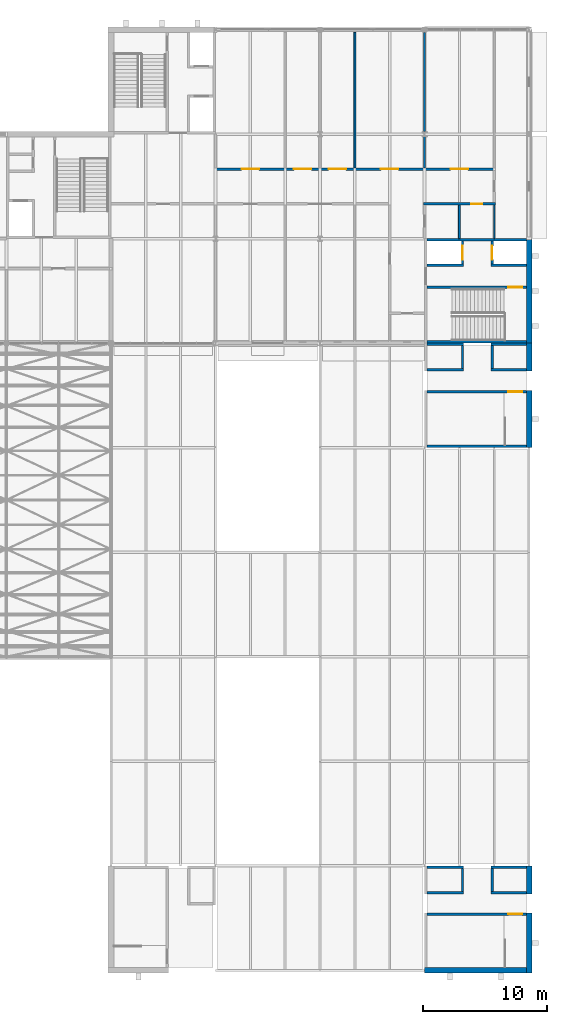
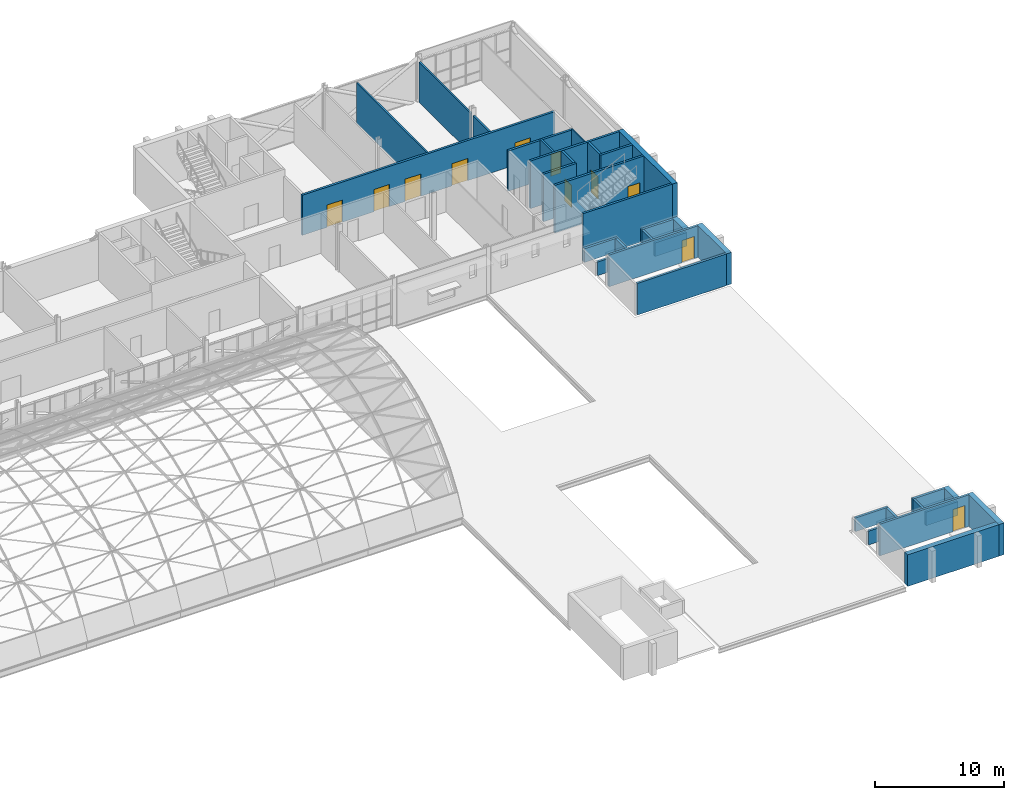
# One storey, part 90 of 121: 35 walls, 11 doors, 11 openings.
"""IFC4 building model written with IfcOpenShell, lengths in metres."""

from ifc_helpers import new_model, si_unit, direction, frame, frame_2d, origin, place, context, subcontext, project, spatial, rectangle, extrude, material, layer, layer_set, type_object, element, fill, save


model = new_model("IFC4")

# Units and contexts
model_context = context("Model", 3, precision=1e-05, world=origin(), true_north=direction((0.0, 1.0)))
body_context = subcontext(model_context, "Body", "Model", "MODEL_VIEW")
ifc_project = project(units=[si_unit("LENGTHUNIT", "METRE"), si_unit("AREAUNIT", "SQUARE_METRE"), si_unit("VOLUMEUNIT", "CUBIC_METRE"), si_unit("PLANEANGLEUNIT", "RADIAN"), si_unit("MASSUNIT", "GRAM", prefix="KILO")], contexts=[model_context])

# Site, building, storey
site_placement = place(None, origin())
site = spatial("IfcSite", under=ifc_project, at=site_placement, CompositionType="ELEMENT")
building_placement = place(site_placement, origin())
building = spatial("IfcBuilding", under=site, at=building_placement, Name="Ardhachandra Cancer Care Centre", CompositionType="ELEMENT")
storey_placement = place(building_placement, frame((0.0, 0.0, 9.0)))
storey = spatial("IfcBuildingStorey", under=building, at=storey_placement, Name="L02", CompositionType="ELEMENT", Elevation=9.0)

# Wall, opening, door
ifc_material_1 = material(Name="Gypsum board corridor partition on steel studs", Category="steel")
ifc_layer_1 = layer(ifc_material_1, 0.199951171875)
ifc_layer_set_1 = layer_set([ifc_layer_1], Name="Gypsum board corridor partition on steel studs")
wall_type_1 = type_object("IfcWallType", Name="CORRIDOR WALL 200", PredefinedType="PARTITIONING", material=ifc_layer_set_1)
wall_1_placement = place(storey_placement, frame((136.699951171875, 91.0, 0.0), z_axis=(0.0, 0.0, 1.0), x_axis=(1.0, 0.0, 0.0)))
wall_1 = element("IfcWall", 1, at=wall_1_placement, inside=storey, type_object=wall_type_1, Name="R/wall/L02/h0091000_0136700", PredefinedType="PARTITIONING", context=body_context, shape_type="SweptSolid", body=[
    extrude(rectangle(XDim=5.800048828125, YDim=0.199951171875, at=frame_2d((2.89990234375, 0.0))), origin(), (0.0, 0.0, 1.0), 3.800048828125),
])
opening_1_placement = place(wall_1_placement, frame((3.85009765625, 0.0, 0.0)))
opening_1 = element("IfcOpeningElement", 2, at=opening_1_placement, cuts=wall_1, Name="Opening L02-0028", PredefinedType="OPENING", context=body_context, shape_type="SweptSolid", body=[
    extrude(rectangle(XDim=0.89990234375, YDim=2.10009765625, at=frame_2d((0.449951171875, 1.050048828125))), frame((0.0, 0.10986328125, 0.0), z_axis=(0.0, -1.0, 0.0), x_axis=(1.0, 0.0, 0.0)), (0.0, 0.0, 1.0), 0.219970703125),
])
ifc_material_2 = material(Name="Timber fire door with smoke seals", Category="wood")
door_type_1 = type_object("IfcDoorType", Name="FIRE DOOR WC 900x2100 FD30S", OperationType="NOTDEFINED", PredefinedType="DOOR", material=ifc_material_2)
door_1_placement = place(opening_1_placement, origin())
door_1 = element("IfcDoor", 3, at=door_1_placement, inside=storey, type_object=door_type_1, Name="Door L02-0028", OperationType="SINGLE_SWING_RIGHT", OverallHeight=2.10009765625, OverallWidth=0.89990234375, PredefinedType="DOOR", context=body_context, shape_type="SweptSolid", body=[
    extrude(rectangle(XDim=0.89990234375, YDim=2.10009765625, at=frame_2d((0.449951171875, 1.050048828125))), frame((0.0, 0.02490234375, 0.0), z_axis=(0.0, -1.0, 0.0), x_axis=(1.0, 0.0, 0.0)), (0.0, 0.0, 1.0), 0.050048828125),
])
fill(opening_1, door_1)

# Wall, openings, doors
wall_2_placement = place(storey_placement, frame((119.89990234375, 93.800048828125, 0.0), z_axis=(0.0, 0.0, 1.0), x_axis=(1.0, 0.0, 0.0)))
wall_2 = element("IfcWall", 4, at=wall_2_placement, inside=storey, type_object=wall_type_1, Name="R/wall/L02/h0093800_0119900", PredefinedType="PARTITIONING", context=body_context, shape_type="SweptSolid", body=[
    extrude(rectangle(XDim=22.60009765625, YDim=0.199951171875, at=frame_2d((11.300048828125, 0.0))), origin(), (0.0, 0.0, 1.0), 3.800048828125),
])
opening_2_placement = place(wall_2_placement, frame((2.199951171875, 0.0, 0.0)))
opening_2 = element("IfcOpeningElement", 5, at=opening_2_placement, cuts=wall_2, Name="Opening L02-0029", PredefinedType="OPENING", context=body_context, shape_type="SweptSolid", body=[
    extrude(rectangle(XDim=1.39990234375, YDim=2.10009765625, at=frame_2d((0.699951171875, 1.050048828125))), frame((0.0, 0.10986328125, 0.0), z_axis=(0.0, -1.0, 0.0), x_axis=(1.0, 0.0, 0.0)), (0.0, 0.0, 1.0), 0.219970703125),
])
opening_3_placement = place(wall_2_placement, frame((6.39990234375, 0.0, 0.0)))
opening_3 = element("IfcOpeningElement", 6, at=opening_3_placement, cuts=wall_2, Name="Opening L02-0030", PredefinedType="OPENING", context=body_context, shape_type="SweptSolid", body=[
    extrude(rectangle(XDim=1.39990234375, YDim=2.10009765625, at=frame_2d((0.699951171875, 1.050048828125))), frame((0.0, 0.10986328125, 0.0), z_axis=(0.0, -1.0, 0.0), x_axis=(1.0, 0.0, 0.0)), (0.0, 0.0, 1.0), 0.219970703125),
])
opening_4_placement = place(wall_2_placement, frame((9.199951171875, 0.0, 0.0)))
opening_4 = element("IfcOpeningElement", 7, at=opening_4_placement, cuts=wall_2, Name="Opening L02-0031", PredefinedType="OPENING", context=body_context, shape_type="SweptSolid", body=[
    extrude(rectangle(XDim=1.39990234375, YDim=2.10009765625, at=frame_2d((0.699951171875, 1.050048828125))), frame((0.0, 0.10986328125, 0.0), z_axis=(0.0, -1.0, 0.0), x_axis=(1.0, 0.0, 0.0)), (0.0, 0.0, 1.0), 0.219970703125),
])
opening_5_placement = place(wall_2_placement, frame((13.39990234375, 0.0, 0.0)))
opening_5 = element("IfcOpeningElement", 8, at=opening_5_placement, cuts=wall_2, Name="Opening L02-0032", PredefinedType="OPENING", context=body_context, shape_type="SweptSolid", body=[
    extrude(rectangle(XDim=1.39990234375, YDim=2.10009765625, at=frame_2d((0.699951171875, 1.050048828125))), frame((0.0, 0.10986328125, 0.0), z_axis=(0.0, -1.0, 0.0), x_axis=(1.0, 0.0, 0.0)), (0.0, 0.0, 1.0), 0.219970703125),
])
opening_6_placement = place(wall_2_placement, frame((19.0, 0.0, 0.0)))
opening_6 = element("IfcOpeningElement", 9, at=opening_6_placement, cuts=wall_2, Name="Opening L02-0033", PredefinedType="OPENING", context=body_context, shape_type="SweptSolid", body=[
    extrude(rectangle(XDim=1.39990234375, YDim=2.10009765625, at=frame_2d((0.699951171875, 1.050048828125))), frame((0.0, 0.10986328125, 0.0), z_axis=(0.0, -1.0, 0.0), x_axis=(1.0, 0.0, 0.0)), (0.0, 0.0, 1.0), 0.219970703125),
])
ifc_material_3 = material(Name="Timber fire door with smoke seals", Category="wood")
door_type_2 = type_object("IfcDoorType", Name="BED ACCESS DOOR 1400x2100 FD30S", OperationType="NOTDEFINED", PredefinedType="DOOR", material=ifc_material_3)
door_2_placement = place(opening_2_placement, origin())
door_2 = element("IfcDoor", 10, at=door_2_placement, inside=storey, type_object=door_type_2, Name="Door L02-0029", OperationType="DOUBLE_DOOR_SINGLE_SWING", OverallHeight=2.10009765625, OverallWidth=1.39990234375, PredefinedType="DOOR", context=body_context, shape_type="SweptSolid", body=[
    extrude(rectangle(XDim=1.39990234375, YDim=2.10009765625, at=frame_2d((0.699951171875, 1.050048828125))), frame((0.0, 0.02490234375, 0.0), z_axis=(0.0, -1.0, 0.0), x_axis=(1.0, 0.0, 0.0)), (0.0, 0.0, 1.0), 0.050048828125),
])
fill(opening_2, door_2)
door_3_placement = place(opening_3_placement, origin())
door_3 = element("IfcDoor", 11, at=door_3_placement, inside=storey, type_object=door_type_2, Name="Door L02-0030", OperationType="DOUBLE_DOOR_SINGLE_SWING", OverallHeight=2.10009765625, OverallWidth=1.39990234375, PredefinedType="DOOR", context=body_context, shape_type="SweptSolid", body=[
    extrude(rectangle(XDim=1.39990234375, YDim=2.10009765625, at=frame_2d((0.699951171875, 1.050048828125))), frame((0.0, 0.02490234375, 0.0), z_axis=(0.0, -1.0, 0.0), x_axis=(1.0, 0.0, 0.0)), (0.0, 0.0, 1.0), 0.050048828125),
])
fill(opening_3, door_3)
door_4_placement = place(opening_4_placement, origin())
door_4 = element("IfcDoor", 12, at=door_4_placement, inside=storey, type_object=door_type_2, Name="Door L02-0031", OperationType="DOUBLE_DOOR_SINGLE_SWING", OverallHeight=2.10009765625, OverallWidth=1.39990234375, PredefinedType="DOOR", context=body_context, shape_type="SweptSolid", body=[
    extrude(rectangle(XDim=1.39990234375, YDim=2.10009765625, at=frame_2d((0.699951171875, 1.050048828125))), frame((0.0, 0.02490234375, 0.0), z_axis=(0.0, -1.0, 0.0), x_axis=(1.0, 0.0, 0.0)), (0.0, 0.0, 1.0), 0.050048828125),
])
fill(opening_4, door_4)
door_5_placement = place(opening_5_placement, origin())
door_5 = element("IfcDoor", 13, at=door_5_placement, inside=storey, type_object=door_type_2, Name="Door L02-0032", OperationType="DOUBLE_DOOR_SINGLE_SWING", OverallHeight=2.10009765625, OverallWidth=1.39990234375, PredefinedType="DOOR", context=body_context, shape_type="SweptSolid", body=[
    extrude(rectangle(XDim=1.39990234375, YDim=2.10009765625, at=frame_2d((0.699951171875, 1.050048828125))), frame((0.0, 0.02490234375, 0.0), z_axis=(0.0, -1.0, 0.0), x_axis=(1.0, 0.0, 0.0)), (0.0, 0.0, 1.0), 0.050048828125),
])
fill(opening_5, door_5)
door_6_placement = place(opening_6_placement, origin())
door_6 = element("IfcDoor", 14, at=door_6_placement, inside=storey, type_object=door_type_2, Name="Door L02-0033", OperationType="DOUBLE_DOOR_SINGLE_SWING", OverallHeight=2.10009765625, OverallWidth=1.39990234375, PredefinedType="DOOR", context=body_context, shape_type="SweptSolid", body=[
    extrude(rectangle(XDim=1.39990234375, YDim=2.10009765625, at=frame_2d((0.699951171875, 1.050048828125))), frame((0.0, 0.02490234375, 0.0), z_axis=(0.0, -1.0, 0.0), x_axis=(1.0, 0.0, 0.0)), (0.0, 0.0, 1.0), 0.050048828125),
])
fill(opening_6, door_6)

# Walls
ifc_material_4 = material(Name="Concrete M40", Category="concrete")
ifc_layer_2 = layer(ifc_material_4, 0.449951171875)
ifc_layer_set_2 = layer_set([ifc_layer_2], Name="Concrete M40")
wall_type_2 = type_object("IfcWallType", Name="Core exterior wall RC 450", PredefinedType="SOLIDWALL", material=ifc_layer_set_2)
wall_3_placement = place(storey_placement, frame((145.199951171875, 29.175048828125, 0.0), z_axis=(0.0, 0.0, 1.0), x_axis=(0.0, 1.0, 0.0)))
element("IfcWall", 15, at=wall_3_placement, inside=storey, type_object=wall_type_2, Name="Stair head-house wall K9 FAR", PredefinedType="SOLIDWALL", context=body_context, shape_type="SweptSolid", body=[
    extrude(rectangle(XDim=4.849853515625, YDim=0.449951171875, at=frame_2d((2.4248046875, 0.0))), origin(), (0.0, 0.0, 1.0), 3.0),
])
wall_4_placement = place(storey_placement, frame((136.800048828125, 29.39990234375, 0.0), z_axis=(0.0, 0.0, 1.0), x_axis=(1.0, 0.0, 0.0)))
element("IfcWall", 16, at=wall_4_placement, inside=storey, type_object=wall_type_2, Name="Stair head-house wall K9 UW", PredefinedType="SOLIDWALL", context=body_context, shape_type="SweptSolid", body=[
    extrude(rectangle(XDim=8.175048828125, YDim=0.449951171875, at=frame_2d((4.08740234375, 0.0))), origin(), (0.0, 0.0, 1.0), 3.0),
])
wall_5_placement = place(storey_placement, frame((145.199951171875, 35.550048828125, 0.0), z_axis=(0.0, 0.0, 1.0), x_axis=(0.0, 1.0, 0.0)))
element("IfcWall", 17, at=wall_5_placement, inside=storey, type_object=wall_type_2, Name="Lift overrun wall K9B FAR", PredefinedType="SOLIDWALL", context=body_context, shape_type="SweptSolid", body=[
    extrude(rectangle(XDim=2.25, YDim=0.449951171875, at=frame_2d((1.125, 0.0))), origin(), (0.0, 0.0, 1.0), 1.300048828125),
])
wall_6_placement = place(storey_placement, frame((145.199951171875, 71.39990234375, 0.0), z_axis=(0.0, 0.0, 1.0), x_axis=(0.0, 1.0, 0.0)))
element("IfcWall", 18, at=wall_6_placement, inside=storey, type_object=wall_type_2, Name="Stair head-house wall K10 FAR", PredefinedType="SOLIDWALL", context=body_context, shape_type="SweptSolid", body=[
    extrude(rectangle(XDim=4.60009765625, YDim=0.449951171875, at=frame_2d((2.300048828125, 0.0))), origin(), (0.0, 0.0, 1.0), 3.0),
])
wall_7_placement = place(storey_placement, frame((145.199951171875, 77.550048828125, 0.0), z_axis=(0.0, 0.0, 1.0), x_axis=(0.0, 1.0, 0.0)))
element("IfcWall", 19, at=wall_7_placement, inside=storey, type_object=wall_type_2, Name="Lift overrun wall K10B FAR", PredefinedType="SOLIDWALL", context=body_context, shape_type="SweptSolid", body=[
    extrude(rectangle(XDim=2.25, YDim=0.449951171875, at=frame_2d((1.125, 0.0))), origin(), (0.0, 0.0, 1.0), 1.300048828125),
])
wall_8_placement = place(storey_placement, frame((145.199951171875, 79.800048828125, 0.0), z_axis=(0.0, 0.0, 1.0), x_axis=(0.0, 1.0, 0.0)))
element("IfcWall", 20, at=wall_8_placement, inside=storey, type_object=wall_type_2, Name="Core wall K13 FAR", PredefinedType="SOLIDWALL", context=body_context, shape_type="SweptSolid", body=[
    extrude(rectangle(XDim=8.39990234375, YDim=0.449951171875, at=frame_2d((4.199951171875, 0.0))), origin(), (0.0, 0.0, 1.0), 4.5),
])

# Wall, opening, door
ifc_material_5 = material(Name="Concrete M40", Category="concrete")
ifc_layer_3 = layer(ifc_material_5, 0.199951171875)
ifc_layer_set_3 = layer_set([ifc_layer_3], Name="Concrete M40")
wall_type_3 = type_object("IfcWallType", Name="Core wall RC 200", PredefinedType="SOLIDWALL", material=ifc_layer_set_3)
wall_9_placement = place(storey_placement, frame((137.0, 33.925048828125, 0.0), z_axis=(0.0, 0.0, 1.0), x_axis=(1.0, 0.0, 0.0)))
wall_9 = element("IfcWall", 21, at=wall_9_placement, inside=storey, type_object=wall_type_3, Name="Stair head-house wall K9 P1", PredefinedType="SOLIDWALL", context=body_context, shape_type="SweptSolid", body=[
    extrude(rectangle(XDim=7.97509765625, YDim=0.199951171875, at=frame_2d((3.987548828125, 0.0))), origin(), (0.0, 0.0, 1.0), 3.0),
])
opening_7_placement = place(wall_9_placement, frame((6.53759765625, 0.0, 0.0)))
opening_7 = element("IfcOpeningElement", 22, at=opening_7_placement, cuts=wall_9, Name="Opening L02-K09-1", PredefinedType="OPENING", context=body_context, shape_type="SweptSolid", body=[
    extrude(rectangle(XDim=1.10009765625, YDim=2.10009765625, at=frame_2d((0.550048828125, 1.050048828125))), frame((0.0, 0.10986328125, 0.0), z_axis=(0.0, -1.0, 0.0), x_axis=(1.0, 0.0, 0.0)), (0.0, 0.0, 1.0), 0.219970703125),
])
ifc_material_6 = material(Name="Steel door set", Category="steel")
door_type_3 = type_object("IfcDoorType", Name="Stair door 1100x2100 FD60S", OperationType="NOTDEFINED", PredefinedType="DOOR", material=ifc_material_6)
door_7_placement = place(opening_7_placement, origin())
door_7 = element("IfcDoor", 23, at=door_7_placement, inside=storey, type_object=door_type_3, Name="Head-house door", OperationType="SINGLE_SWING_RIGHT", OverallHeight=2.10009765625, OverallWidth=1.10009765625, PredefinedType="DOOR", context=body_context, shape_type="SweptSolid", body=[
    extrude(rectangle(XDim=1.10009765625, YDim=2.10009765625, at=frame_2d((0.550048828125, 1.050048828125))), frame((0.0, 0.02490234375, 0.0), z_axis=(0.0, -1.0, 0.0), x_axis=(1.0, 0.0, 0.0)), (0.0, 0.0, 1.0), 0.050048828125),
])
fill(opening_7, door_7)

# Walls
wall_10_placement = place(storey_placement, frame((137.0, 35.64990234375, 0.0), z_axis=(0.0, 0.0, 1.0), x_axis=(1.0, 0.0, 0.0)))
element("IfcWall", 24, at=wall_10_placement, inside=storey, type_object=wall_type_3, Name="Lift overrun wall K9A P2A", PredefinedType="SOLIDWALL", context=body_context, shape_type="SweptSolid", body=[
    extrude(rectangle(XDim=2.949951171875, YDim=0.199951171875, at=frame_2d((1.47509765625, 0.0))), origin(), (0.0, 0.0, 1.0), 1.300048828125),
])
wall_11_placement = place(storey_placement, frame((139.85009765625, 35.75, 0.0), z_axis=(0.0, 0.0, 1.0), x_axis=(0.0, 1.0, 0.0)))
element("IfcWall", 25, at=wall_11_placement, inside=storey, type_object=wall_type_3, Name="Lift overrun wall K9A W1", PredefinedType="SOLIDWALL", context=body_context, shape_type="SweptSolid", body=[
    extrude(rectangle(XDim=1.85009765625, YDim=0.199951171875, at=frame_2d((0.925048828125, 0.0))), origin(), (0.0, 0.0, 1.0), 1.300048828125),
])
wall_12_placement = place(storey_placement, frame((137.0, 37.699951171875, 0.0), z_axis=(0.0, 0.0, 1.0), x_axis=(1.0, 0.0, 0.0)))
element("IfcWall", 26, at=wall_12_placement, inside=storey, type_object=wall_type_3, Name="Lift overrun wall K9A UE", PredefinedType="SOLIDWALL", context=body_context, shape_type="SweptSolid", body=[
    extrude(rectangle(XDim=2.949951171875, YDim=0.199951171875, at=frame_2d((1.47509765625, 0.0))), origin(), (0.0, 0.0, 1.0), 1.300048828125),
])
wall_13_placement = place(storey_placement, frame((142.125, 35.64990234375, 0.0), z_axis=(0.0, 0.0, 1.0), x_axis=(1.0, 0.0, 0.0)))
element("IfcWall", 27, at=wall_13_placement, inside=storey, type_object=wall_type_3, Name="Lift overrun wall K9B P2B", PredefinedType="SOLIDWALL", context=body_context, shape_type="SweptSolid", body=[
    extrude(rectangle(XDim=2.85009765625, YDim=0.199951171875, at=frame_2d((1.425048828125, 0.0))), origin(), (0.0, 0.0, 1.0), 1.300048828125),
])
wall_14_placement = place(storey_placement, frame((142.22509765625, 35.75, 0.0), z_axis=(0.0, 0.0, 1.0), x_axis=(0.0, 1.0, 0.0)))
element("IfcWall", 28, at=wall_14_placement, inside=storey, type_object=wall_type_3, Name="Lift overrun wall K9B W2", PredefinedType="SOLIDWALL", context=body_context, shape_type="SweptSolid", body=[
    extrude(rectangle(XDim=1.85009765625, YDim=0.199951171875, at=frame_2d((0.925048828125, 0.0))), origin(), (0.0, 0.0, 1.0), 1.300048828125),
])
wall_15_placement = place(storey_placement, frame((142.125, 37.699951171875, 0.0), z_axis=(0.0, 0.0, 1.0), x_axis=(1.0, 0.0, 0.0)))
element("IfcWall", 29, at=wall_15_placement, inside=storey, type_object=wall_type_3, Name="Lift overrun wall K9B UE", PredefinedType="SOLIDWALL", context=body_context, shape_type="SweptSolid", body=[
    extrude(rectangle(XDim=2.85009765625, YDim=0.199951171875, at=frame_2d((1.425048828125, 0.0))), origin(), (0.0, 0.0, 1.0), 1.300048828125),
])
wall_16_placement = place(storey_placement, frame((137.0, 71.5, 0.0), z_axis=(0.0, 0.0, 1.0), x_axis=(1.0, 0.0, 0.0)))
element("IfcWall", 30, at=wall_16_placement, inside=storey, type_object=wall_type_3, Name="Stair head-house wall K10 UW", PredefinedType="SOLIDWALL", context=body_context, shape_type="SweptSolid", body=[
    extrude(rectangle(XDim=7.97509765625, YDim=0.199951171875, at=frame_2d((3.987548828125, 0.0))), origin(), (0.0, 0.0, 1.0), 3.0),
])

# Wall, opening, door
wall_17_placement = place(storey_placement, frame((137.0, 75.89990234375, 0.0), z_axis=(0.0, 0.0, 1.0), x_axis=(1.0, 0.0, 0.0)))
wall_17 = element("IfcWall", 31, at=wall_17_placement, inside=storey, type_object=wall_type_3, Name="Stair head-house wall K10 P1", PredefinedType="SOLIDWALL", context=body_context, shape_type="SweptSolid", body=[
    extrude(rectangle(XDim=7.97509765625, YDim=0.199951171875, at=frame_2d((3.987548828125, 0.0))), origin(), (0.0, 0.0, 1.0), 3.0),
])
opening_8_placement = place(wall_17_placement, frame((6.53759765625, 0.0, 0.0)))
opening_8 = element("IfcOpeningElement", 32, at=opening_8_placement, cuts=wall_17, Name="Opening L02-K10-1", PredefinedType="OPENING", context=body_context, shape_type="SweptSolid", body=[
    extrude(rectangle(XDim=1.10009765625, YDim=2.10009765625, at=frame_2d((0.550048828125, 1.050048828125))), frame((0.0, 0.10986328125, 0.0), z_axis=(0.0, -1.0, 0.0), x_axis=(1.0, 0.0, 0.0)), (0.0, 0.0, 1.0), 0.219970703125),
])
door_8_placement = place(opening_8_placement, origin())
door_8 = element("IfcDoor", 33, at=door_8_placement, inside=storey, type_object=door_type_3, Name="Head-house door", OperationType="SINGLE_SWING_RIGHT", OverallHeight=2.10009765625, OverallWidth=1.10009765625, PredefinedType="DOOR", context=body_context, shape_type="SweptSolid", body=[
    extrude(rectangle(XDim=1.10009765625, YDim=2.10009765625, at=frame_2d((0.550048828125, 1.050048828125))), frame((0.0, 0.02490234375, 0.0), z_axis=(0.0, -1.0, 0.0), x_axis=(1.0, 0.0, 0.0)), (0.0, 0.0, 1.0), 0.050048828125),
])
fill(opening_8, door_8)

# Walls
wall_18_placement = place(storey_placement, frame((137.0, 77.64990234375, 0.0), z_axis=(0.0, 0.0, 1.0), x_axis=(1.0, 0.0, 0.0)))
element("IfcWall", 34, at=wall_18_placement, inside=storey, type_object=wall_type_3, Name="Lift overrun wall K10A P2A", PredefinedType="SOLIDWALL", context=body_context, shape_type="SweptSolid", body=[
    extrude(rectangle(XDim=2.949951171875, YDim=0.199951171875, at=frame_2d((1.47509765625, 0.0))), origin(), (0.0, 0.0, 1.0), 1.300048828125),
])
wall_19_placement = place(storey_placement, frame((139.85009765625, 77.75, 0.0), z_axis=(0.0, 0.0, 1.0), x_axis=(0.0, 1.0, 0.0)))
element("IfcWall", 35, at=wall_19_placement, inside=storey, type_object=wall_type_3, Name="Lift overrun wall K10A W1", PredefinedType="SOLIDWALL", context=body_context, shape_type="SweptSolid", body=[
    extrude(rectangle(XDim=1.85009765625, YDim=0.199951171875, at=frame_2d((0.925048828125, 0.0))), origin(), (0.0, 0.0, 1.0), 1.300048828125),
])
wall_20_placement = place(storey_placement, frame((137.0, 79.699951171875, 0.0), z_axis=(0.0, 0.0, 1.0), x_axis=(1.0, 0.0, 0.0)))
element("IfcWall", 36, at=wall_20_placement, inside=storey, type_object=wall_type_3, Name="Lift overrun wall K10A UE", PredefinedType="SOLIDWALL", context=body_context, shape_type="SweptSolid", body=[
    extrude(rectangle(XDim=2.949951171875, YDim=0.199951171875, at=frame_2d((1.47509765625, 0.0))), origin(), (0.0, 0.0, 1.0), 1.300048828125),
])
wall_21_placement = place(storey_placement, frame((142.125, 77.64990234375, 0.0), z_axis=(0.0, 0.0, 1.0), x_axis=(1.0, 0.0, 0.0)))
element("IfcWall", 37, at=wall_21_placement, inside=storey, type_object=wall_type_3, Name="Lift overrun wall K10B P2B", PredefinedType="SOLIDWALL", context=body_context, shape_type="SweptSolid", body=[
    extrude(rectangle(XDim=2.85009765625, YDim=0.199951171875, at=frame_2d((1.425048828125, 0.0))), origin(), (0.0, 0.0, 1.0), 1.300048828125),
])
wall_22_placement = place(storey_placement, frame((142.22509765625, 77.75, 0.0), z_axis=(0.0, 0.0, 1.0), x_axis=(0.0, 1.0, 0.0)))
element("IfcWall", 38, at=wall_22_placement, inside=storey, type_object=wall_type_3, Name="Lift overrun wall K10B W2", PredefinedType="SOLIDWALL", context=body_context, shape_type="SweptSolid", body=[
    extrude(rectangle(XDim=1.85009765625, YDim=0.199951171875, at=frame_2d((0.925048828125, 0.0))), origin(), (0.0, 0.0, 1.0), 1.300048828125),
])
wall_23_placement = place(storey_placement, frame((142.125, 79.699951171875, 0.0), z_axis=(0.0, 0.0, 1.0), x_axis=(1.0, 0.0, 0.0)))
element("IfcWall", 39, at=wall_23_placement, inside=storey, type_object=wall_type_3, Name="Lift overrun wall K10B UE", PredefinedType="SOLIDWALL", context=body_context, shape_type="SweptSolid", body=[
    extrude(rectangle(XDim=2.85009765625, YDim=0.199951171875, at=frame_2d((1.425048828125, 0.0))), origin(), (0.0, 0.0, 1.0), 1.300048828125),
])
for number, where, z_axis, x_axis, name in (
    (40, (137.0, 79.89990234375, 0.0), (0.0, 0.0, 1.0), (1.0, 0.0, 0.0), "Core wall K13 UW"),
    (41, (137.0, 88.10009765625, 0.0), (0.0, 0.0, 1.0), (1.0, 0.0, 0.0), "Core wall K13 UE"),
):
    element("IfcWall", number, at=place(storey_placement, frame(where, z_axis=z_axis, x_axis=x_axis)), inside=storey, type_object=wall_type_3, Name=name, PredefinedType="SOLIDWALL", context=body_context, shape_type="SweptSolid", body=[
        extrude(rectangle(XDim=7.97509765625, YDim=0.199951171875, at=frame_2d((3.987548828125, 0.0))), origin(), (0.0, 0.0, 1.0), 4.5),
    ])

# Wall, opening, door
wall_24_placement = place(storey_placement, frame((137.0, 84.300048828125, 0.0), z_axis=(0.0, 0.0, 1.0), x_axis=(1.0, 0.0, 0.0)))
wall_24 = element("IfcWall", 42, at=wall_24_placement, inside=storey, type_object=wall_type_3, Name="Core wall K13 P1", PredefinedType="SOLIDWALL", context=body_context, shape_type="SweptSolid", body=[
    extrude(rectangle(XDim=7.97509765625, YDim=0.199951171875, at=frame_2d((3.987548828125, 0.0))), origin(), (0.0, 0.0, 1.0), 4.5),
])
opening_9_placement = place(wall_24_placement, frame((6.53759765625, 0.0, 0.0)))
opening_9 = element("IfcOpeningElement", 43, at=opening_9_placement, cuts=wall_24, Name="Opening L02-K13-2", PredefinedType="OPENING", context=body_context, shape_type="SweptSolid", body=[
    extrude(rectangle(XDim=1.10009765625, YDim=2.10009765625, at=frame_2d((0.550048828125, 1.050048828125))), frame((0.0, 0.10986328125, 0.0), z_axis=(0.0, -1.0, 0.0), x_axis=(1.0, 0.0, 0.0)), (0.0, 0.0, 1.0), 0.219970703125),
])
door_9_placement = place(opening_9_placement, origin())
door_9 = element("IfcDoor", 44, at=door_9_placement, inside=storey, type_object=door_type_3, Name="Stair door", OperationType="SINGLE_SWING_LEFT", OverallHeight=2.10009765625, OverallWidth=1.10009765625, PredefinedType="DOOR", context=body_context, shape_type="SweptSolid", body=[
    extrude(rectangle(XDim=1.10009765625, YDim=2.10009765625, at=frame_2d((0.550048828125, 1.050048828125))), frame((0.0, 0.02490234375, 0.0), z_axis=(0.0, -1.0, 0.0), x_axis=(1.0, 0.0, 0.0)), (0.0, 0.0, 1.0), 0.050048828125),
])
fill(opening_9, door_9)

# Walls
wall_25_placement = place(storey_placement, frame((137.0, 86.050048828125, 0.0), z_axis=(0.0, 0.0, 1.0), x_axis=(1.0, 0.0, 0.0)))
element("IfcWall", 45, at=wall_25_placement, inside=storey, type_object=wall_type_3, Name="Core wall K13 P2A", PredefinedType="SOLIDWALL", context=body_context, shape_type="SweptSolid", body=[
    extrude(rectangle(XDim=2.949951171875, YDim=0.199951171875, at=frame_2d((1.47509765625, 0.0))), origin(), (0.0, 0.0, 1.0), 4.5),
])
wall_26_placement = place(storey_placement, frame((142.125, 86.050048828125, 0.0), z_axis=(0.0, 0.0, 1.0), x_axis=(1.0, 0.0, 0.0)))
element("IfcWall", 46, at=wall_26_placement, inside=storey, type_object=wall_type_3, Name="Core wall K13 P2B", PredefinedType="SOLIDWALL", context=body_context, shape_type="SweptSolid", body=[
    extrude(rectangle(XDim=2.85009765625, YDim=0.199951171875, at=frame_2d((1.425048828125, 0.0))), origin(), (0.0, 0.0, 1.0), 4.5),
])

# Wall, opening, door
wall_27_placement = place(storey_placement, frame((139.85009765625, 86.14990234375, 0.0), z_axis=(0.0, 0.0, 1.0), x_axis=(0.0, 1.0, 0.0)))
wall_27 = element("IfcWall", 47, at=wall_27_placement, inside=storey, type_object=wall_type_3, Name="Core wall K13 W1", PredefinedType="SOLIDWALL", context=body_context, shape_type="SweptSolid", body=[
    extrude(rectangle(XDim=1.85009765625, YDim=0.199951171875, at=frame_2d((0.925048828125, 0.0))), origin(), (0.0, 0.0, 1.0), 4.5),
])
opening_10_placement = place(wall_27_placement, frame((0.375, 0.0, 0.0)))
opening_10 = element("IfcOpeningElement", 48, at=opening_10_placement, cuts=wall_27, Name="Opening L02-K13-3", PredefinedType="OPENING", context=body_context, shape_type="SweptSolid", body=[
    extrude(rectangle(XDim=1.10009765625, YDim=2.10009765625, at=frame_2d((0.550048828125, 1.050048828125))), frame((0.0, 0.10986328125, 0.0), z_axis=(0.0, -1.0, 0.0), x_axis=(1.0, 0.0, 0.0)), (0.0, 0.0, 1.0), 0.219970703125),
])
ifc_material_7 = material(Name="Stainless steel (grade 304)", Category="steel")
door_type_4 = type_object("IfcDoorType", Name="Lift landing door 1100x2100", OperationType="DOUBLE_DOOR_SLIDING", PredefinedType="DOOR", material=ifc_material_7)
door_10_placement = place(opening_10_placement, origin())
door_10 = element("IfcDoor", 49, at=door_10_placement, inside=storey, type_object=door_type_4, Name="Lift landing door LF-K13-1", OperationType="DOUBLE_DOOR_SLIDING", OverallHeight=2.10009765625, OverallWidth=1.10009765625, PredefinedType="DOOR", context=body_context, shape_type="SweptSolid", body=[
    extrude(rectangle(XDim=1.10009765625, YDim=2.10009765625, at=frame_2d((0.550048828125, 1.050048828125))), frame((0.0, 0.02490234375, 0.0), z_axis=(0.0, -1.0, 0.0), x_axis=(1.0, 0.0, 0.0)), (0.0, 0.0, 1.0), 0.050048828125),
])
fill(opening_10, door_10)

wall_28_placement = place(storey_placement, frame((142.22509765625, 86.14990234375, 0.0), z_axis=(0.0, 0.0, 1.0), x_axis=(0.0, 1.0, 0.0)))
wall_28 = element("IfcWall", 50, at=wall_28_placement, inside=storey, type_object=wall_type_3, Name="Core wall K13 W2", PredefinedType="SOLIDWALL", context=body_context, shape_type="SweptSolid", body=[
    extrude(rectangle(XDim=1.85009765625, YDim=0.199951171875, at=frame_2d((0.925048828125, 0.0))), origin(), (0.0, 0.0, 1.0), 4.5),
])
opening_11_placement = place(wall_28_placement, frame((0.375, 0.0, 0.0)))
opening_11 = element("IfcOpeningElement", 51, at=opening_11_placement, cuts=wall_28, Name="Opening L02-K13-4", PredefinedType="OPENING", context=body_context, shape_type="SweptSolid", body=[
    extrude(rectangle(XDim=1.10009765625, YDim=2.10009765625, at=frame_2d((0.550048828125, 1.050048828125))), frame((0.0, 0.10986328125, 0.0), z_axis=(0.0, -1.0, 0.0), x_axis=(1.0, 0.0, 0.0)), (0.0, 0.0, 1.0), 0.219970703125),
])
door_11_placement = place(opening_11_placement, origin())
door_11 = element("IfcDoor", 52, at=door_11_placement, inside=storey, type_object=door_type_4, Name="Lift landing door LF-K13-2", OperationType="DOUBLE_DOOR_SLIDING", OverallHeight=2.10009765625, OverallWidth=1.10009765625, PredefinedType="DOOR", context=body_context, shape_type="SweptSolid", body=[
    extrude(rectangle(XDim=1.10009765625, YDim=2.10009765625, at=frame_2d((0.550048828125, 1.050048828125))), frame((0.0, 0.02490234375, 0.0), z_axis=(0.0, -1.0, 0.0), x_axis=(1.0, 0.0, 0.0)), (0.0, 0.0, 1.0), 0.050048828125),
])
fill(opening_11, door_11)

# Walls
ifc_material_8 = material(Name="Gypsum board partition on steel studs", Category="steel")
ifc_layer_4 = layer(ifc_material_8, 0.14990234375)
ifc_layer_set_4 = layer_set([ifc_layer_4], Name="Gypsum board partition on steel studs")
wall_type_4 = type_object("IfcWallType", Name="PARTITION 150", PredefinedType="PARTITIONING", material=ifc_layer_set_4)
wall_29_placement = place(storey_placement, frame((131.199951171875, 93.89990234375, 0.0), z_axis=(0.0, 0.0, 1.0), x_axis=(0.0, 1.0, 0.0)))
element("IfcWall", 53, at=wall_29_placement, inside=storey, type_object=wall_type_4, Name="R/wall/L02/v0131200_0093900", PredefinedType="PARTITIONING", context=body_context, shape_type="SweptSolid", body=[
    extrude(rectangle(XDim=10.875, YDim=0.14990234375, at=frame_2d((5.4375, 0.0))), origin(), (0.0, 0.0, 1.0), 3.800048828125),
])
wall_30_placement = place(storey_placement, frame((136.800048828125, 93.89990234375, 0.0), z_axis=(0.0, 0.0, 1.0), x_axis=(0.0, 1.0, 0.0)))
element("IfcWall", 54, at=wall_30_placement, inside=storey, type_object=wall_type_4, Name="R/wall/L02/v0136800_0093900", PredefinedType="PARTITIONING", context=body_context, shape_type="SweptSolid", body=[
    extrude(rectangle(XDim=2.502685546875, YDim=0.14990234375, at=frame_2d((1.25146484375, 0.0))), origin(), (0.0, 0.0, 1.0), 3.800048828125),
])
wall_31_placement = place(storey_placement, frame((136.800048828125, 96.797607421875, 0.0), z_axis=(0.0, 0.0, 1.0), x_axis=(0.0, 1.0, 0.0)))
element("IfcWall", 55, at=wall_31_placement, inside=storey, type_object=wall_type_4, Name="R/wall/L02/v0136800_0096798", PredefinedType="PARTITIONING", context=body_context, shape_type="SweptSolid", body=[
    extrude(rectangle(XDim=7.977294921875, YDim=0.14990234375, at=frame_2d((3.98876953125, 0.0))), origin(), (0.0, 0.0, 1.0), 3.800048828125),
])
ifc_material_9 = material(Name="Concrete block masonry", Category="masonry")
ifc_layer_5 = layer(ifc_material_9, 0.10009765625)
ifc_layer_set_5 = layer_set([ifc_layer_5], Name="Concrete block masonry")
wall_type_5 = type_object("IfcWallType", Name="STORE PARTITION 100", PredefinedType="SOLIDWALL", material=ifc_layer_set_5)
wall_32_placement = place(storey_placement, frame((142.39990234375, 88.199951171875, 0.0), z_axis=(0.0, 0.0, 1.0), x_axis=(0.0, 1.0, 0.0)))
element("IfcWall", 56, at=wall_32_placement, inside=storey, type_object=wall_type_5, Name="R/wall/L02/v0142400_0088200", PredefinedType="SOLIDWALL", context=body_context, shape_type="SweptSolid", body=[
    extrude(rectangle(XDim=2.699951171875, YDim=0.10009765625, at=frame_2d((1.35009765625, 0.0))), origin(), (0.0, 0.0, 1.0), 3.949951171875),
])
ifc_material_10 = material(Name="Tiled gypsum board partition on steel studs", Category="steel")
ifc_layer_6 = layer(ifc_material_10, 0.14990234375)
ifc_layer_set_6 = layer_set([ifc_layer_6], Name="Tiled gypsum board partition on steel studs")
wall_type_6 = type_object("IfcWallType", Name="WET ROOM PARTITION 150", PredefinedType="PARTITIONING", material=ifc_layer_set_6)
wall_33_placement = place(storey_placement, frame((139.60009765625, 88.199951171875, 0.0), z_axis=(0.0, 0.0, 1.0), x_axis=(0.0, 1.0, 0.0)))
element("IfcWall", 57, at=wall_33_placement, inside=storey, type_object=wall_type_6, Name="R/wall/L02/v0139600_0088200", PredefinedType="PARTITIONING", context=body_context, shape_type="SweptSolid", body=[
    extrude(rectangle(XDim=2.699951171875, YDim=0.14990234375, at=frame_2d((1.35009765625, 0.0))), origin(), (0.0, 0.0, 1.0), 3.949951171875),
])

save(model, "model.ifc")
